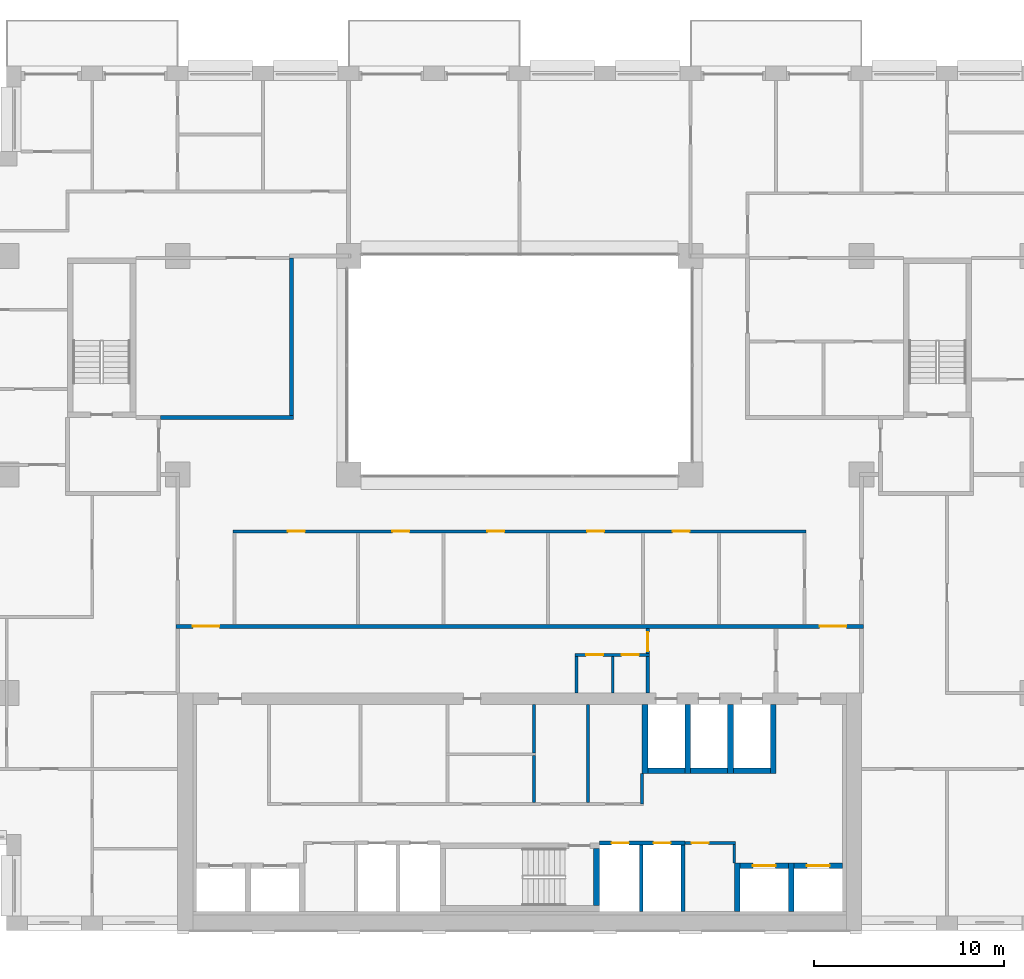
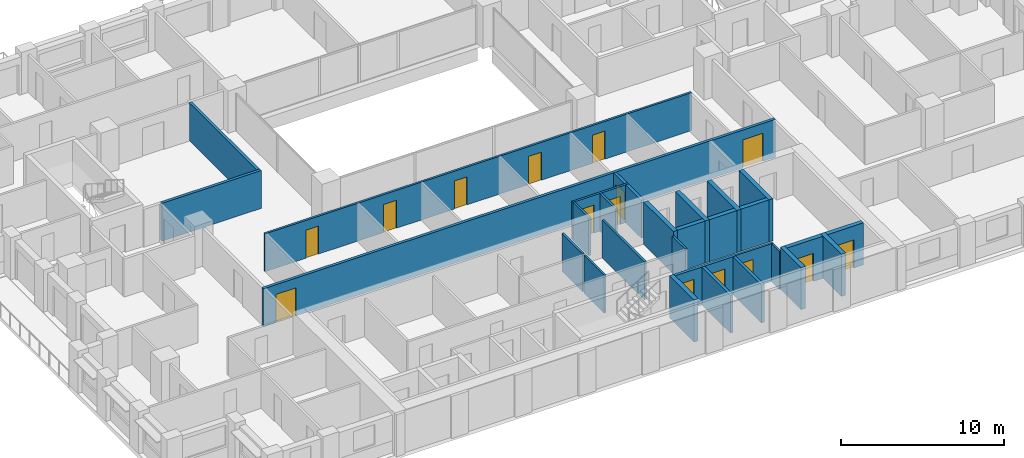
# One storey, part 10 of 16: 30 walls, 15 doors, 15 openings.
"""IFC4 building model written with IfcOpenShell, lengths in metres."""

from ifc_helpers import new_model, si_unit, direction, frame, frame_2d, origin, place, context, subcontext, project, spatial, rectangle, extrude, material, layer, layer_set, type_object, element, fill, save


model = new_model("IFC4")

# Units and contexts
model_context = context("Model", 3, precision=1e-05, world=origin(), true_north=direction((0.0, 1.0)))
body_context = subcontext(model_context, "Body", "Model", "MODEL_VIEW")
ifc_project = project(units=[si_unit("LENGTHUNIT", "METRE"), si_unit("AREAUNIT", "SQUARE_METRE"), si_unit("VOLUMEUNIT", "CUBIC_METRE"), si_unit("PLANEANGLEUNIT", "RADIAN"), si_unit("MASSUNIT", "GRAM", prefix="KILO")], contexts=[model_context])

# Site, building, storey
site_placement = place(None, origin())
site = spatial("IfcSite", under=ifc_project, at=site_placement, CompositionType="ELEMENT")
building_placement = place(site_placement, origin())
building = spatial("IfcBuilding", under=site, at=building_placement, Name="Brigalow Station Residences", CompositionType="ELEMENT")
storey_placement = place(building_placement, frame((0.0, 0.0, 83.550048828125)))
storey = spatial("IfcBuildingStorey", under=building, at=storey_placement, Name="L23", CompositionType="ELEMENT", Elevation=83.550048828125)

# Walls
ifc_material_1 = material(Name="Concrete C65", Category="concrete")
ifc_layer_1 = layer(ifc_material_1, 0.300048828125)
ifc_layer_set_1 = layer_set([ifc_layer_1], Name="CORE SHEAR WALL 300 C65")
wall_type_1 = type_object("IfcWallType", Name="CORE SHEAR WALL 300 C65", PredefinedType="SHEAR", material=ifc_layer_set_1)
wall_1_placement = place(storey_placement, frame((42.75, 8.39990234375, 0.0), z_axis=(0.0, 0.0, 1.0), x_axis=(1.0, 0.0, 0.0)))
element("IfcWall", 1, at=wall_1_placement, inside=storey, type_object=wall_type_1, Name="CORE WALL SH-FF1-S L23", PredefinedType="SHEAR", context=body_context, shape_type="SweptSolid", body=[
    extrude(rectangle(XDim=1.949951171875, YDim=0.300048828125, at=frame_2d((0.97509765625, 0.0))), origin(), (0.0, 0.0, 1.0), 3.14990234375),
])
wall_2_placement = place(storey_placement, frame((42.60009765625, 8.25, 0.0), z_axis=(0.0, 0.0, 1.0), x_axis=(0.0, 1.0, 0.0)))
element("IfcWall", 2, at=wall_2_placement, inside=storey, type_object=wall_type_1, Name="CORE WALL SH-FF1-W L23", PredefinedType="SHEAR", context=body_context, shape_type="SweptSolid", body=[
    extrude(rectangle(XDim=3.64990234375, YDim=0.300048828125, at=frame_2d((1.824951171875, 0.0))), origin(), (0.0, 0.0, 1.0), 3.14990234375),
])
wall_3_placement = place(storey_placement, frame((45.0, 8.39990234375, 0.0), z_axis=(0.0, 0.0, 1.0), x_axis=(1.0, 0.0, 0.0)))
element("IfcWall", 3, at=wall_3_placement, inside=storey, type_object=wall_type_1, Name="CORE WALL SH-FF2-S L23", PredefinedType="SHEAR", context=body_context, shape_type="SweptSolid", body=[
    extrude(rectangle(XDim=1.949951171875, YDim=0.300048828125, at=frame_2d((0.97509765625, 0.0))), origin(), (0.0, 0.0, 1.0), 3.14990234375),
])
wall_4_placement = place(storey_placement, frame((44.85009765625, 8.25, 0.0), z_axis=(0.0, 0.0, 1.0), x_axis=(0.0, 1.0, 0.0)))
element("IfcWall", 4, at=wall_4_placement, inside=storey, type_object=wall_type_1, Name="CORE WALL SH-FF2-W L23", PredefinedType="SHEAR", context=body_context, shape_type="SweptSolid", body=[
    extrude(rectangle(XDim=3.64990234375, YDim=0.300048828125, at=frame_2d((1.824951171875, 0.0))), origin(), (0.0, 0.0, 1.0), 3.14990234375),
])
wall_5_placement = place(storey_placement, frame((47.25, 8.39990234375, 0.0), z_axis=(0.0, 0.0, 1.0), x_axis=(1.0, 0.0, 0.0)))
element("IfcWall", 5, at=wall_5_placement, inside=storey, type_object=wall_type_1, Name="CORE WALL SH-SL1-S L23", PredefinedType="SHEAR", context=body_context, shape_type="SweptSolid", body=[
    extrude(rectangle(XDim=1.949951171875, YDim=0.300048828125, at=frame_2d((0.97509765625, 0.0))), origin(), (0.0, 0.0, 1.0), 3.14990234375),
])
for number, where, z_axis, x_axis, name in (
    (6, (47.10009765625, 8.25, 0.0), (0.0, 0.0, 1.0), (0.0, 1.0, 0.0), "CORE WALL SH-SL1-W L23"),
    (7, (49.35009765625, 8.25, 0.0), (0.0, 0.0, 1.0), (0.0, 1.0, 0.0), "CORE WALL SH-SL1-E L23"),
):
    element("IfcWall", number, at=place(storey_placement, frame(where, z_axis=z_axis, x_axis=x_axis)), inside=storey, type_object=wall_type_1, Name=name, PredefinedType="SHEAR", context=body_context, shape_type="SweptSolid", body=[
        extrude(rectangle(XDim=3.64990234375, YDim=0.300048828125, at=frame_2d((1.824951171875, 0.0))), origin(), (0.0, 0.0, 1.0), 3.14990234375),
    ])

# Wall, opening, door
wall_6_placement = place(storey_placement, frame((47.60009765625, 3.39990234375, 0.0), z_axis=(0.0, 0.0, 1.0), x_axis=(1.0, 0.0, 0.0)))
wall_6 = element("IfcWall", 8, at=wall_6_placement, inside=storey, type_object=wall_type_1, Name="CORE WALL SH-C3-N L23", PredefinedType="SHEAR", context=body_context, shape_type="SweptSolid", body=[
    extrude(rectangle(XDim=2.5498046875, YDim=0.300048828125, at=frame_2d((1.27490234375, 0.0))), origin(), (0.0, 0.0, 1.0), 3.14990234375),
])
opening_1_placement = place(wall_6_placement, frame((0.675048828125, 0.0, 0.0)))
opening_1 = element("IfcOpeningElement", 9, at=opening_1_placement, cuts=wall_6, Name="Opening LD-LB3", PredefinedType="OPENING", context=body_context, shape_type="SweptSolid", body=[
    extrude(rectangle(XDim=1.199951171875, YDim=2.10009765625, at=frame_2d((0.60009765625, 1.050048828125))), frame((0.0, 0.16015625, 0.0), z_axis=(0.0, -1.0, 0.0), x_axis=(1.0, 0.0, 0.0)), (0.0, 0.0, 1.0), 0.320068359375),
])
ifc_material_2 = material(Name="Stainless steel sliding door leaves", Category="steel")
door_type_1 = type_object("IfcDoorType", Name="LIFT LANDING DOOR 1200 x 2100", OperationType="DOUBLE_DOOR_SLIDING", PredefinedType="DOOR", material=ifc_material_2)
door_1_placement = place(opening_1_placement, origin())
door_1 = element("IfcDoor", 10, at=door_1_placement, inside=storey, type_object=door_type_1, Name="LANDING DOOR LB3", OperationType="DOUBLE_DOOR_SLIDING", OverallHeight=2.10009765625, OverallWidth=1.199951171875, PredefinedType="DOOR", context=body_context, shape_type="SweptSolid", body=[
    extrude(rectangle(XDim=1.199951171875, YDim=2.10009765625, at=frame_2d((0.60009765625, 1.050048828125))), frame((0.0, 0.02490234375, 0.0), z_axis=(0.0, -1.0, 0.0), x_axis=(1.0, 0.0, 0.0)), (0.0, 0.0, 1.0), 0.050048828125),
])
fill(opening_1, door_1)

# Wall
wall_7_placement = place(storey_placement, frame((47.449951171875, 1.0, 0.0), z_axis=(0.0, 0.0, 1.0), x_axis=(0.0, 1.0, 0.0)))
element("IfcWall", 11, at=wall_7_placement, inside=storey, type_object=wall_type_1, Name="CORE WALL SH-C3-W L23", PredefinedType="SHEAR", context=body_context, shape_type="SweptSolid", body=[
    extrude(rectangle(XDim=2.550048828125, YDim=0.300048828125, at=frame_2d((1.27490234375, 0.0))), origin(), (0.0, 0.0, 1.0), 3.14990234375),
])

# Wall, opening, door
wall_8_placement = place(storey_placement, frame((50.449951171875, 3.39990234375, 0.0), z_axis=(0.0, 0.0, 1.0), x_axis=(1.0, 0.0, 0.0)))
wall_8 = element("IfcWall", 12, at=wall_8_placement, inside=storey, type_object=wall_type_1, Name="CORE WALL SH-C4-N L23", PredefinedType="SHEAR", context=body_context, shape_type="SweptSolid", body=[
    extrude(rectangle(XDim=2.550048828125, YDim=0.300048828125, at=frame_2d((1.27490234375, 0.0))), origin(), (0.0, 0.0, 1.0), 3.14990234375),
])
opening_2_placement = place(wall_8_placement, frame((0.675048828125, 0.0, 0.0)))
opening_2 = element("IfcOpeningElement", 13, at=opening_2_placement, cuts=wall_8, Name="Opening LD-LB4", PredefinedType="OPENING", context=body_context, shape_type="SweptSolid", body=[
    extrude(rectangle(XDim=1.199951171875, YDim=2.10009765625, at=frame_2d((0.60009765625, 1.050048828125))), frame((0.0, 0.16015625, 0.0), z_axis=(0.0, -1.0, 0.0), x_axis=(1.0, 0.0, 0.0)), (0.0, 0.0, 1.0), 0.320068359375),
])
door_2_placement = place(opening_2_placement, origin())
door_2 = element("IfcDoor", 14, at=door_2_placement, inside=storey, type_object=door_type_1, Name="LANDING DOOR LB4", OperationType="DOUBLE_DOOR_SLIDING", OverallHeight=2.10009765625, OverallWidth=1.199951171875, PredefinedType="DOOR", context=body_context, shape_type="SweptSolid", body=[
    extrude(rectangle(XDim=1.199951171875, YDim=2.10009765625, at=frame_2d((0.60009765625, 1.050048828125))), frame((0.0, 0.02490234375, 0.0), z_axis=(0.0, -1.0, 0.0), x_axis=(1.0, 0.0, 0.0)), (0.0, 0.0, 1.0), 0.050048828125),
])
fill(opening_2, door_2)

# Walls
wall_9_placement = place(storey_placement, frame((50.300048828125, 1.0, 0.0), z_axis=(0.0, 0.0, 1.0), x_axis=(0.0, 1.0, 0.0)))
element("IfcWall", 15, at=wall_9_placement, inside=storey, type_object=wall_type_1, Name="CORE WALL SH-C4-W L23", PredefinedType="SHEAR", context=body_context, shape_type="SweptSolid", body=[
    extrude(rectangle(XDim=2.550048828125, YDim=0.300048828125, at=frame_2d((1.27490234375, 0.0))), origin(), (0.0, 0.0, 1.0), 3.14990234375),
])
wall_10_placement = place(storey_placement, frame((40.050048828125, 1.300048828125, 0.0), z_axis=(0.0, 0.0, 1.0), x_axis=(0.0, 1.0, 0.0)))
element("IfcWall", 16, at=wall_10_placement, inside=storey, type_object=wall_type_1, Name="CORE WALL ST-S2-E L23", PredefinedType="SHEAR", context=body_context, shape_type="SweptSolid", body=[
    extrude(rectangle(XDim=3.0, YDim=0.300048828125, at=frame_2d((1.5, 0.0))), origin(), (0.0, 0.0, 1.0), 3.14990234375),
])

# Wall, openings, doors
ifc_material_3 = material(Name="Concrete blockwork", Category="masonry")
ifc_layer_2 = layer(ifc_material_3, 0.199951171875)
ifc_layer_set_2 = layer_set([ifc_layer_2], Name="FIRE RATED CORE PARTITION 200")
wall_type_2 = type_object("IfcWallType", Name="FIRE RATED CORE PARTITION 200", PredefinedType="PARTITIONING", material=ifc_layer_set_2)
wall_11_placement = place(storey_placement, frame((40.199951171875, 4.60009765625, 0.0), z_axis=(0.0, 0.0, 1.0), x_axis=(1.0, 0.0, 0.0)))
wall_11 = element("IfcWall", 17, at=wall_11_placement, inside=storey, type_object=wall_type_2, Name="PW-5018", PredefinedType="PARTITIONING", context=body_context, shape_type="SweptSolid", body=[
    extrude(rectangle(XDim=4.5, YDim=0.199951171875, at=frame_2d((2.25, 0.0))), origin(), (0.0, 0.0, 1.0), 2.829833984375),
])
opening_3_placement = place(wall_11_placement, frame((0.64990234375, 0.0, 0.0)))
opening_3 = element("IfcOpeningElement", 18, at=opening_3_placement, cuts=wall_11, Name="Opening D-5009", PredefinedType="OPENING", context=body_context, shape_type="SweptSolid", body=[
    extrude(rectangle(XDim=0.89990234375, YDim=2.10009765625, at=frame_2d((0.449951171875, 1.050048828125))), frame((0.0, 0.10986328125, 0.0), z_axis=(0.0, -1.0, 0.0), x_axis=(1.0, 0.0, 0.0)), (0.0, 0.0, 1.0), 0.219970703125),
])
opening_4_placement = place(wall_11_placement, frame((2.85009765625, 0.0, 0.0)))
opening_4 = element("IfcOpeningElement", 19, at=opening_4_placement, cuts=wall_11, Name="Opening D-5010", PredefinedType="OPENING", context=body_context, shape_type="SweptSolid", body=[
    extrude(rectangle(XDim=0.89990234375, YDim=2.10009765625, at=frame_2d((0.449951171875, 1.050048828125))), frame((0.0, 0.10986328125, 0.0), z_axis=(0.0, -1.0, 0.0), x_axis=(1.0, 0.0, 0.0)), (0.0, 0.0, 1.0), 0.219970703125),
])
ifc_material_4 = material(Name="Steel fire door leaf in steel frame", Category="steel")
door_type_2 = type_object("IfcDoorType", Name="RISER ACCESS DOOR 900 x 2100 FD120", OperationType="SINGLE_SWING_LEFT", PredefinedType="DOOR", material=ifc_material_4)
door_3_placement = place(opening_3_placement, frame((0.89990234375, 0.0, 0.0), z_axis=(0.0, 0.0, 1.0), x_axis=(-1.0, 0.0, 0.0)))
door_3 = element("IfcDoor", 20, at=door_3_placement, inside=storey, type_object=door_type_2, Name="D-5009", OperationType="SINGLE_SWING_LEFT", OverallHeight=2.10009765625, OverallWidth=0.89990234375, PredefinedType="DOOR", context=body_context, shape_type="SweptSolid", body=[
    extrude(rectangle(XDim=0.89990234375, YDim=2.10009765625, at=frame_2d((0.449951171875, 1.050048828125))), frame((0.0, 0.02490234375, 0.0), z_axis=(0.0, -1.0, 0.0), x_axis=(1.0, 0.0, 0.0)), (0.0, 0.0, 1.0), 0.050048828125),
])
fill(opening_3, door_3)
door_4_placement = place(opening_4_placement, frame((0.89990234375, 0.0, 0.0), z_axis=(0.0, 0.0, 1.0), x_axis=(-1.0, 0.0, 0.0)))
door_4 = element("IfcDoor", 21, at=door_4_placement, inside=storey, type_object=door_type_2, Name="D-5010", OperationType="SINGLE_SWING_LEFT", OverallHeight=2.10009765625, OverallWidth=0.89990234375, PredefinedType="DOOR", context=body_context, shape_type="SweptSolid", body=[
    extrude(rectangle(XDim=0.89990234375, YDim=2.10009765625, at=frame_2d((0.449951171875, 1.050048828125))), frame((0.0, 0.02490234375, 0.0), z_axis=(0.0, -1.0, 0.0), x_axis=(1.0, 0.0, 0.0)), (0.0, 0.0, 1.0), 0.050048828125),
])
fill(opening_4, door_4)

# Walls
for number, where, z_axis, x_axis, name in (
    (22, (42.39990234375, 1.0, 0.0), (0.0, 0.0, 1.0), (0.0, 1.0, 0.0), "PW-5007"),
    (23, (44.60009765625, 1.0, 0.0), (0.0, 0.0, 1.0), (0.0, 1.0, 0.0), "PW-5008"),
):
    element("IfcWall", number, at=place(storey_placement, frame(where, z_axis=z_axis, x_axis=x_axis)), inside=storey, type_object=wall_type_2, Name=name, PredefinedType="PARTITIONING", context=body_context, shape_type="SweptSolid", body=[
        extrude(rectangle(XDim=3.5, YDim=0.199951171875, at=frame_2d((1.75, 0.0))), origin(), (0.0, 0.0, 1.0), 2.829833984375),
    ])
wall_12_placement = place(storey_placement, frame((42.75, 12.5, 0.0), z_axis=(0.0, 0.0, 1.0), x_axis=(0.0, 1.0, 0.0)))
element("IfcWall", 24, at=wall_12_placement, inside=storey, type_object=wall_type_2, Name="PW-5046", PredefinedType="PARTITIONING", context=body_context, shape_type="SweptSolid", body=[
    extrude(rectangle(XDim=1.925048828125, YDim=0.199951171875, at=frame_2d((0.96240234375, 0.0))), origin(), (0.0, 0.0, 1.0), 2.829833984375),
])

# Wall, opening, door
wall_13_placement = place(storey_placement, frame((42.75, 14.574951171875, 0.0), z_axis=(0.0, 0.0, 1.0), x_axis=(0.0, 1.0, 0.0)))
wall_13 = element("IfcWall", 25, at=wall_13_placement, inside=storey, type_object=wall_type_2, Name="PW-5047", PredefinedType="PARTITIONING", context=body_context, shape_type="SweptSolid", body=[
    extrude(rectangle(XDim=1.324951171875, YDim=0.199951171875, at=frame_2d((0.66259765625, 0.0))), origin(), (0.0, 0.0, 1.0), 2.829833984375),
])
opening_5_placement = place(wall_13_placement, frame((0.125, 0.0, 0.0)))
opening_5 = element("IfcOpeningElement", 26, at=opening_5_placement, cuts=wall_13, Name="Opening D-5013", PredefinedType="OPENING", context=body_context, shape_type="SweptSolid", body=[
    extrude(rectangle(XDim=1.0, YDim=2.10009765625, at=frame_2d((0.5, 1.050048828125))), frame((0.0, 0.10986328125, 0.0), z_axis=(0.0, -1.0, 0.0), x_axis=(1.0, 0.0, 0.0)), (0.0, 0.0, 1.0), 0.219970703125),
])
ifc_material_5 = material(Name="Steel fire door leaf in steel frame", Category="steel")
door_type_3 = type_object("IfcDoorType", Name="LOBBY DOOR 1000 x 2100 FD60S", OperationType="SINGLE_SWING_LEFT", PredefinedType="DOOR", material=ifc_material_5)
door_5_placement = place(opening_5_placement, origin())
door_5 = element("IfcDoor", 27, at=door_5_placement, inside=storey, type_object=door_type_3, Name="D-5013", OperationType="SINGLE_SWING_LEFT", OverallHeight=2.10009765625, OverallWidth=1.0, PredefinedType="DOOR", context=body_context, shape_type="SweptSolid", body=[
    extrude(rectangle(XDim=1.0, YDim=2.10009765625, at=frame_2d((0.5, 1.050048828125))), frame((0.0, 0.02490234375, 0.0), z_axis=(0.0, -1.0, 0.0), x_axis=(1.0, 0.0, 0.0)), (0.0, 0.0, 1.0), 0.050048828125),
])
fill(opening_5, door_5)

# Wall, openings, doors
ifc_material_6 = material(Name="Plasterboard on steel stud partition", Category="steel")
ifc_layer_3 = layer(ifc_material_6, 0.14990234375)
ifc_layer_set_3 = layer_set([ifc_layer_3], Name="FLAT PARTITION 150")
wall_type_3 = type_object("IfcWallType", Name="FLAT PARTITION 150", PredefinedType="PARTITIONING", material=ifc_layer_set_3)
wall_14_placement = place(storey_placement, frame((20.925048828125, 21.0, 0.0), z_axis=(0.0, 0.0, 1.0), x_axis=(1.0, 0.0, 0.0)))
wall_14 = element("IfcWall", 28, at=wall_14_placement, inside=storey, type_object=wall_type_3, Name="PW-2A01", PredefinedType="PARTITIONING", context=body_context, shape_type="SweptSolid", body=[
    extrude(rectangle(XDim=30.14990234375, YDim=0.14990234375, at=frame_2d((15.074951171875, 0.0))), origin(), (0.0, 0.0, 1.0), 2.829833984375),
])
opening_6_placement = place(wall_14_placement, frame((2.875, 0.0, 0.0)))
opening_6 = element("IfcOpeningElement", 29, at=opening_6_placement, cuts=wall_14, Name="Opening D-2A49", PredefinedType="OPENING", context=body_context, shape_type="SweptSolid", body=[
    extrude(rectangle(XDim=0.89990234375, YDim=2.10009765625, at=frame_2d((0.449951171875, 1.050048828125))), frame((0.0, 0.0849609375, 0.0), z_axis=(0.0, -1.0, 0.0), x_axis=(1.0, 0.0, 0.0)), (0.0, 0.0, 1.0), 0.169921875),
])
opening_7_placement = place(wall_14_placement, frame((8.375, 0.0, 0.0)))
opening_7 = element("IfcOpeningElement", 30, at=opening_7_placement, cuts=wall_14, Name="Opening D-2A50", PredefinedType="OPENING", context=body_context, shape_type="SweptSolid", body=[
    extrude(rectangle(XDim=0.89990234375, YDim=2.10009765625, at=frame_2d((0.449951171875, 1.050048828125))), frame((0.0, 0.0849609375, 0.0), z_axis=(0.0, -1.0, 0.0), x_axis=(1.0, 0.0, 0.0)), (0.0, 0.0, 1.0), 0.169921875),
])
opening_8_placement = place(wall_14_placement, frame((13.375, 0.0, 0.0)))
opening_8 = element("IfcOpeningElement", 31, at=opening_8_placement, cuts=wall_14, Name="Opening D-2A51", PredefinedType="OPENING", context=body_context, shape_type="SweptSolid", body=[
    extrude(rectangle(XDim=0.89990234375, YDim=2.10009765625, at=frame_2d((0.449951171875, 1.050048828125))), frame((0.0, 0.0849609375, 0.0), z_axis=(0.0, -1.0, 0.0), x_axis=(1.0, 0.0, 0.0)), (0.0, 0.0, 1.0), 0.169921875),
])
opening_9_placement = place(wall_14_placement, frame((18.625, 0.0, 0.0)))
opening_9 = element("IfcOpeningElement", 32, at=opening_9_placement, cuts=wall_14, Name="Opening D-2A52", PredefinedType="OPENING", context=body_context, shape_type="SweptSolid", body=[
    extrude(rectangle(XDim=0.89990234375, YDim=2.10009765625, at=frame_2d((0.449951171875, 1.050048828125))), frame((0.0, 0.0849609375, 0.0), z_axis=(0.0, -1.0, 0.0), x_axis=(1.0, 0.0, 0.0)), (0.0, 0.0, 1.0), 0.169921875),
])
opening_10_placement = place(wall_14_placement, frame((23.125, 0.0, 0.0)))
opening_10 = element("IfcOpeningElement", 33, at=opening_10_placement, cuts=wall_14, Name="Opening D-2A53", PredefinedType="OPENING", context=body_context, shape_type="SweptSolid", body=[
    extrude(rectangle(XDim=0.89990234375, YDim=2.10009765625, at=frame_2d((0.449951171875, 1.050048828125))), frame((0.0, 0.0849609375, 0.0), z_axis=(0.0, -1.0, 0.0), x_axis=(1.0, 0.0, 0.0)), (0.0, 0.0, 1.0), 0.169921875),
])
ifc_material_7 = material(Name="Solid-core timber door leaf", Category="wood")
door_type_4 = type_object("IfcDoorType", Name="INTERNAL DOOR 900 x 2100", OperationType="SINGLE_SWING_LEFT", PredefinedType="DOOR", material=ifc_material_7)
door_6_placement = place(opening_6_placement, frame((0.89990234375, 0.0, 0.0), z_axis=(0.0, 0.0, 1.0), x_axis=(-1.0, 0.0, 0.0)))
door_6 = element("IfcDoor", 34, at=door_6_placement, inside=storey, type_object=door_type_4, Name="D-2A49", OperationType="SINGLE_SWING_LEFT", OverallHeight=2.10009765625, OverallWidth=0.89990234375, PredefinedType="DOOR", context=body_context, shape_type="SweptSolid", body=[
    extrude(rectangle(XDim=0.89990234375, YDim=2.10009765625, at=frame_2d((0.449951171875, 1.050048828125))), frame((0.0, 0.02490234375, 0.0), z_axis=(0.0, -1.0, 0.0), x_axis=(1.0, 0.0, 0.0)), (0.0, 0.0, 1.0), 0.050048828125),
])
fill(opening_6, door_6)
door_7_placement = place(opening_7_placement, frame((0.89990234375, 0.0, 0.0), z_axis=(0.0, 0.0, 1.0), x_axis=(-1.0, 0.0, 0.0)))
door_7 = element("IfcDoor", 35, at=door_7_placement, inside=storey, type_object=door_type_4, Name="D-2A50", OperationType="SINGLE_SWING_RIGHT", OverallHeight=2.10009765625, OverallWidth=0.89990234375, PredefinedType="DOOR", context=body_context, shape_type="SweptSolid", body=[
    extrude(rectangle(XDim=0.89990234375, YDim=2.10009765625, at=frame_2d((0.449951171875, 1.050048828125))), frame((0.0, 0.02490234375, 0.0), z_axis=(0.0, -1.0, 0.0), x_axis=(1.0, 0.0, 0.0)), (0.0, 0.0, 1.0), 0.050048828125),
])
fill(opening_7, door_7)
door_8_placement = place(opening_8_placement, frame((0.89990234375, 0.0, 0.0), z_axis=(0.0, 0.0, 1.0), x_axis=(-1.0, 0.0, 0.0)))
door_8 = element("IfcDoor", 36, at=door_8_placement, inside=storey, type_object=door_type_4, Name="D-2A51", OperationType="SINGLE_SWING_LEFT", OverallHeight=2.10009765625, OverallWidth=0.89990234375, PredefinedType="DOOR", context=body_context, shape_type="SweptSolid", body=[
    extrude(rectangle(XDim=0.89990234375, YDim=2.10009765625, at=frame_2d((0.449951171875, 1.050048828125))), frame((0.0, 0.02490234375, 0.0), z_axis=(0.0, -1.0, 0.0), x_axis=(1.0, 0.0, 0.0)), (0.0, 0.0, 1.0), 0.050048828125),
])
fill(opening_8, door_8)
door_9_placement = place(opening_9_placement, frame((0.89990234375, 0.0, 0.0), z_axis=(0.0, 0.0, 1.0), x_axis=(-1.0, 0.0, 0.0)))
door_9 = element("IfcDoor", 37, at=door_9_placement, inside=storey, type_object=door_type_4, Name="D-2A52", OperationType="SINGLE_SWING_LEFT", OverallHeight=2.10009765625, OverallWidth=0.89990234375, PredefinedType="DOOR", context=body_context, shape_type="SweptSolid", body=[
    extrude(rectangle(XDim=0.89990234375, YDim=2.10009765625, at=frame_2d((0.449951171875, 1.050048828125))), frame((0.0, 0.02490234375, 0.0), z_axis=(0.0, -1.0, 0.0), x_axis=(1.0, 0.0, 0.0)), (0.0, 0.0, 1.0), 0.050048828125),
])
fill(opening_9, door_9)
door_10_placement = place(opening_10_placement, frame((0.89990234375, 0.0, 0.0), z_axis=(0.0, 0.0, 1.0), x_axis=(-1.0, 0.0, 0.0)))
door_10 = element("IfcDoor", 38, at=door_10_placement, inside=storey, type_object=door_type_4, Name="D-2A53", OperationType="SINGLE_SWING_LEFT", OverallHeight=2.10009765625, OverallWidth=0.89990234375, PredefinedType="DOOR", context=body_context, shape_type="SweptSolid", body=[
    extrude(rectangle(XDim=0.89990234375, YDim=2.10009765625, at=frame_2d((0.449951171875, 1.050048828125))), frame((0.0, 0.02490234375, 0.0), z_axis=(0.0, -1.0, 0.0), x_axis=(1.0, 0.0, 0.0)), (0.0, 0.0, 1.0), 0.050048828125),
])
fill(opening_10, door_10)

# Wall
ifc_material_8 = material(Name="Plasterboard on steel stud partition", Category="steel")
ifc_layer_4 = layer(ifc_material_8, 0.199951171875)
ifc_layer_set_4 = layer_set([ifc_layer_4], Name="PARTY AND CORRIDOR WALL 200")
wall_type_4 = type_object("IfcWallType", Name="PARTY AND CORRIDOR WALL 200", PredefinedType="PARTITIONING", material=ifc_layer_set_4)
wall_15_placement = place(storey_placement, frame((17.10009765625, 27.0, 0.0), z_axis=(0.0, 0.0, 1.0), x_axis=(1.0, 0.0, 0.0)))
element("IfcWall", 39, at=wall_15_placement, inside=storey, type_object=wall_type_4, Name="PW-2A05", PredefinedType="PARTITIONING", context=body_context, shape_type="SweptSolid", body=[
    extrude(rectangle(XDim=7.0, YDim=0.199951171875, at=frame_2d((3.5, 0.0))), origin(), (0.0, 0.0, 1.0), 2.829833984375),
])

# Wall, openings, doors
wall_16_placement = place(storey_placement, frame((17.89990234375, 16.0, 0.0), z_axis=(0.0, 0.0, 1.0), x_axis=(1.0, 0.0, 0.0)))
wall_16 = element("IfcWall", 40, at=wall_16_placement, inside=storey, type_object=wall_type_4, Name="PW-2A38", PredefinedType="PARTITIONING", context=body_context, shape_type="SweptSolid", body=[
    extrude(rectangle(XDim=36.2001953125, YDim=0.199951171875, at=frame_2d((18.10009765625, 0.0))), origin(), (0.0, 0.0, 1.0), 2.829833984375),
])
opening_11_placement = place(wall_16_placement, frame((0.89990234375, 0.0, 0.0)))
opening_11 = element("IfcOpeningElement", 41, at=opening_11_placement, cuts=wall_16, Name="Opening D-2A01", PredefinedType="OPENING", context=body_context, shape_type="SweptSolid", body=[
    extrude(rectangle(XDim=1.39990234375, YDim=2.10009765625, at=frame_2d((0.699951171875, 1.050048828125))), frame((0.0, 0.10986328125, 0.0), z_axis=(0.0, -1.0, 0.0), x_axis=(1.0, 0.0, 0.0)), (0.0, 0.0, 1.0), 0.219970703125),
])
opening_12_placement = place(wall_16_placement, frame((33.89990234375, 0.0, 0.0)))
opening_12 = element("IfcOpeningElement", 42, at=opening_12_placement, cuts=wall_16, Name="Opening D-2A02", PredefinedType="OPENING", context=body_context, shape_type="SweptSolid", body=[
    extrude(rectangle(XDim=1.39990234375, YDim=2.10009765625, at=frame_2d((0.699951171875, 1.050048828125))), frame((0.0, 0.10986328125, 0.0), z_axis=(0.0, -1.0, 0.0), x_axis=(1.0, 0.0, 0.0)), (0.0, 0.0, 1.0), 0.219970703125),
])
ifc_material_9 = material(Name="Solid-core timber door leaf", Category="wood")
door_type_5 = type_object("IfcDoorType", Name="CORRIDOR FIRE DOOR 1400 x 2100 FRL -/60/30", OperationType="DOUBLE_DOOR_SINGLE_SWING", PredefinedType="DOOR", material=ifc_material_9)
door_11_placement = place(opening_11_placement, frame((1.39990234375, 0.0, 0.0), z_axis=(0.0, 0.0, 1.0), x_axis=(-1.0, 0.0, 0.0)))
door_11 = element("IfcDoor", 43, at=door_11_placement, inside=storey, type_object=door_type_5, Name="D-2A01", OperationType="DOUBLE_DOOR_SINGLE_SWING", OverallHeight=2.10009765625, OverallWidth=1.39990234375, PredefinedType="DOOR", context=body_context, shape_type="SweptSolid", body=[
    extrude(rectangle(XDim=1.39990234375, YDim=2.10009765625, at=frame_2d((0.699951171875, 1.050048828125))), frame((0.0, 0.02490234375, 0.0), z_axis=(0.0, -1.0, 0.0), x_axis=(1.0, 0.0, 0.0)), (0.0, 0.0, 1.0), 0.050048828125),
])
fill(opening_11, door_11)
door_12_placement = place(opening_12_placement, frame((1.39990234375, 0.0, 0.0), z_axis=(0.0, 0.0, 1.0), x_axis=(-1.0, 0.0, 0.0)))
door_12 = element("IfcDoor", 44, at=door_12_placement, inside=storey, type_object=door_type_5, Name="D-2A02", OperationType="DOUBLE_DOOR_SINGLE_SWING", OverallHeight=2.10009765625, OverallWidth=1.39990234375, PredefinedType="DOOR", context=body_context, shape_type="SweptSolid", body=[
    extrude(rectangle(XDim=1.39990234375, YDim=2.10009765625, at=frame_2d((0.699951171875, 1.050048828125))), frame((0.0, 0.02490234375, 0.0), z_axis=(0.0, -1.0, 0.0), x_axis=(1.0, 0.0, 0.0)), (0.0, 0.0, 1.0), 0.050048828125),
])
fill(opening_12, door_12)

# Wall
wall_17_placement = place(storey_placement, frame((24.0, 27.10009765625, 0.0), z_axis=(0.0, 0.0, 1.0), x_axis=(0.0, 1.0, 0.0)))
element("IfcWall", 45, at=wall_17_placement, inside=storey, type_object=wall_type_4, Name="PW-2A45", PredefinedType="PARTITIONING", context=body_context, shape_type="SweptSolid", body=[
    extrude(rectangle(XDim=8.2998046875, YDim=0.199951171875, at=frame_2d((4.14990234375, 0.0))), origin(), (0.0, 0.0, 1.0), 2.829833984375),
])

# Wall, opening, door
ifc_material_10 = material(Name="Plasterboard on steel studs", Category="steel")
ifc_layer_5 = layer(ifc_material_10, 0.14990234375)
ifc_layer_set_5 = layer_set([ifc_layer_5], Name="SERVICE ROOM PARTITION 150")
wall_type_5 = type_object("IfcWallType", Name="SERVICE ROOM PARTITION 150", PredefinedType="PARTITIONING", material=ifc_layer_set_5)
wall_18_placement = place(storey_placement, frame((44.699951171875, 4.60009765625, 0.0), z_axis=(0.0, 0.0, 1.0), x_axis=(1.0, 0.0, 0.0)))
wall_18 = element("IfcWall", 46, at=wall_18_placement, inside=storey, type_object=wall_type_5, Name="PW-5156", PredefinedType="PARTITIONING", context=body_context, shape_type="SweptSolid", body=[
    extrude(rectangle(XDim=2.675048828125, YDim=0.14990234375, at=frame_2d((1.33740234375, 0.0))), origin(), (0.0, 0.0, 1.0), 2.829833984375),
])
opening_13_placement = place(wall_18_placement, frame((0.35009765625, 0.0, 0.0)))
opening_13 = element("IfcOpeningElement", 47, at=opening_13_placement, cuts=wall_18, Name="Opening D-5026", PredefinedType="OPENING", context=body_context, shape_type="SweptSolid", body=[
    extrude(rectangle(XDim=0.89990234375, YDim=2.10009765625, at=frame_2d((0.449951171875, 1.050048828125))), frame((0.0, 0.0849609375, 0.0), z_axis=(0.0, -1.0, 0.0), x_axis=(1.0, 0.0, 0.0)), (0.0, 0.0, 1.0), 0.169921875),
])
ifc_material_11 = material(Name="Steel door leaf in steel frame", Category="steel")
door_type_6 = type_object("IfcDoorType", Name="SERVICE ROOM DOOR 900 x 2100 FD60", OperationType="SINGLE_SWING_LEFT", PredefinedType="DOOR", material=ifc_material_11)
door_13_placement = place(opening_13_placement, frame((0.89990234375, 0.0, 0.0), z_axis=(0.0, 0.0, 1.0), x_axis=(-1.0, 0.0, 0.0)))
door_13 = element("IfcDoor", 48, at=door_13_placement, inside=storey, type_object=door_type_6, Name="D-5026", OperationType="SINGLE_SWING_RIGHT", OverallHeight=2.10009765625, OverallWidth=0.89990234375, PredefinedType="DOOR", context=body_context, shape_type="SweptSolid", body=[
    extrude(rectangle(XDim=0.89990234375, YDim=2.10009765625, at=frame_2d((0.449951171875, 1.050048828125))), frame((0.0, 0.02490234375, 0.0), z_axis=(0.0, -1.0, 0.0), x_axis=(1.0, 0.0, 0.0)), (0.0, 0.0, 1.0), 0.050048828125),
])
fill(opening_13, door_13)

# Wall, openings, doors
wall_19_placement = place(storey_placement, frame((38.925048828125, 14.5, 0.0), z_axis=(0.0, 0.0, 1.0), x_axis=(1.0, 0.0, 0.0)))
wall_19 = element("IfcWall", 49, at=wall_19_placement, inside=storey, type_object=wall_type_5, Name="PW-5129", PredefinedType="PARTITIONING", context=body_context, shape_type="SweptSolid", body=[
    extrude(rectangle(XDim=3.925048828125, YDim=0.14990234375, at=frame_2d((1.96240234375, 0.0))), origin(), (0.0, 0.0, 1.0), 2.829833984375),
])
opening_14_placement = place(wall_19_placement, frame((0.574951171875, 0.0, 0.0)))
opening_14 = element("IfcOpeningElement", 50, at=opening_14_placement, cuts=wall_19, Name="Opening D-5077", PredefinedType="OPENING", context=body_context, shape_type="SweptSolid", body=[
    extrude(rectangle(XDim=0.89990234375, YDim=2.10009765625, at=frame_2d((0.449951171875, 1.050048828125))), frame((0.0, 0.0849609375, 0.0), z_axis=(0.0, -1.0, 0.0), x_axis=(1.0, 0.0, 0.0)), (0.0, 0.0, 1.0), 0.169921875),
])
opening_15_placement = place(wall_19_placement, frame((2.449951171875, 0.0, 0.0)))
opening_15 = element("IfcOpeningElement", 51, at=opening_15_placement, cuts=wall_19, Name="Opening D-5078", PredefinedType="OPENING", context=body_context, shape_type="SweptSolid", body=[
    extrude(rectangle(XDim=0.89990234375, YDim=2.10009765625, at=frame_2d((0.449951171875, 1.050048828125))), frame((0.0, 0.0849609375, 0.0), z_axis=(0.0, -1.0, 0.0), x_axis=(1.0, 0.0, 0.0)), (0.0, 0.0, 1.0), 0.169921875),
])
door_14_placement = place(opening_14_placement, frame((0.89990234375, 0.0, 0.0), z_axis=(0.0, 0.0, 1.0), x_axis=(-1.0, 0.0, 0.0)))
door_14 = element("IfcDoor", 52, at=door_14_placement, inside=storey, type_object=door_type_6, Name="D-5077", OperationType="SINGLE_SWING_RIGHT", OverallHeight=2.10009765625, OverallWidth=0.89990234375, PredefinedType="DOOR", context=body_context, shape_type="SweptSolid", body=[
    extrude(rectangle(XDim=0.89990234375, YDim=2.10009765625, at=frame_2d((0.449951171875, 1.050048828125))), frame((0.0, 0.02490234375, 0.0), z_axis=(0.0, -1.0, 0.0), x_axis=(1.0, 0.0, 0.0)), (0.0, 0.0, 1.0), 0.050048828125),
])
fill(opening_14, door_14)
door_15_placement = place(opening_15_placement, frame((0.89990234375, 0.0, 0.0), z_axis=(0.0, 0.0, 1.0), x_axis=(-1.0, 0.0, 0.0)))
door_15 = element("IfcDoor", 53, at=door_15_placement, inside=storey, type_object=door_type_6, Name="D-5078", OperationType="SINGLE_SWING_LEFT", OverallHeight=2.10009765625, OverallWidth=0.89990234375, PredefinedType="DOOR", context=body_context, shape_type="SweptSolid", body=[
    extrude(rectangle(XDim=0.89990234375, YDim=2.10009765625, at=frame_2d((0.449951171875, 1.050048828125))), frame((0.0, 0.02490234375, 0.0), z_axis=(0.0, -1.0, 0.0), x_axis=(1.0, 0.0, 0.0)), (0.0, 0.0, 1.0), 0.050048828125),
])
fill(opening_15, door_15)

# Walls
wall_20_placement = place(storey_placement, frame((47.300048828125, 3.550048828125, 0.0), z_axis=(0.0, 0.0, 1.0), x_axis=(0.0, 1.0, 0.0)))
element("IfcWall", 54, at=wall_20_placement, inside=storey, type_object=wall_type_5, Name="PW-5158", PredefinedType="PARTITIONING", context=body_context, shape_type="SweptSolid", body=[
    extrude(rectangle(XDim=0.974853515625, YDim=0.14990234375, at=frame_2d((0.4873046875, 0.0))), origin(), (0.0, 0.0, 1.0), 2.829833984375),
])
wall_21_placement = place(storey_placement, frame((42.449951171875, 6.64990234375, 0.0), z_axis=(0.0, 0.0, 1.0), x_axis=(0.0, 1.0, 0.0)))
element("IfcWall", 55, at=wall_21_placement, inside=storey, type_object=wall_type_5, Name="PW-5029", PredefinedType="PARTITIONING", context=body_context, shape_type="SweptSolid", body=[
    extrude(rectangle(XDim=1.60009765625, YDim=0.14990234375, at=frame_2d((0.800048828125, 0.0))), origin(), (0.0, 0.0, 1.0), 2.829833984375),
])
wall_22_placement = place(storey_placement, frame((36.75, 6.72509765625, 0.0), z_axis=(0.0, 0.0, 1.0), x_axis=(0.0, 1.0, 0.0)))
element("IfcWall", 56, at=wall_22_placement, inside=storey, type_object=wall_type_5, Name="PW-5200", PredefinedType="PARTITIONING", context=body_context, shape_type="SweptSolid", body=[
    extrude(rectangle(XDim=2.469970703125, YDim=0.14990234375, at=frame_2d((1.23486328125, 0.0))), origin(), (0.0, 0.0, 1.0), 2.829833984375),
])
wall_23_placement = place(storey_placement, frame((39.60009765625, 6.72509765625, 0.0), z_axis=(0.0, 0.0, 1.0), x_axis=(0.0, 1.0, 0.0)))
element("IfcWall", 57, at=wall_23_placement, inside=storey, type_object=wall_type_5, Name="PW-5201", PredefinedType="PARTITIONING", context=body_context, shape_type="SweptSolid", body=[
    extrude(rectangle(XDim=5.1748046875, YDim=0.14990234375, at=frame_2d((2.58740234375, 0.0))), origin(), (0.0, 0.0, 1.0), 2.829833984375),
])
wall_24_placement = place(storey_placement, frame((36.75, 9.344970703125, 0.0), z_axis=(0.0, 0.0, 1.0), x_axis=(0.0, 1.0, 0.0)))
element("IfcWall", 58, at=wall_24_placement, inside=storey, type_object=wall_type_5, Name="PW-5203", PredefinedType="PARTITIONING", context=body_context, shape_type="SweptSolid", body=[
    extrude(rectangle(XDim=2.554931640625, YDim=0.14990234375, at=frame_2d((1.27734375, 0.0))), origin(), (0.0, 0.0, 1.0), 2.829833984375),
])
for number, where, z_axis, x_axis, name in (
    (59, (39.0, 12.5, 0.0), (0.0, 0.0, 1.0), (0.0, 1.0, 0.0), "PW-5136"),
    (60, (40.89990234375, 12.5, 0.0), (0.0, 0.0, 1.0), (0.0, 1.0, 0.0), "PW-5137"),
):
    element("IfcWall", number, at=place(storey_placement, frame(where, z_axis=z_axis, x_axis=x_axis)), inside=storey, type_object=wall_type_5, Name=name, PredefinedType="PARTITIONING", context=body_context, shape_type="SweptSolid", body=[
        extrude(rectangle(XDim=1.925048828125, YDim=0.14990234375, at=frame_2d((0.96240234375, 0.0))), origin(), (0.0, 0.0, 1.0), 2.829833984375),
    ])

save(model, "model.ifc")
